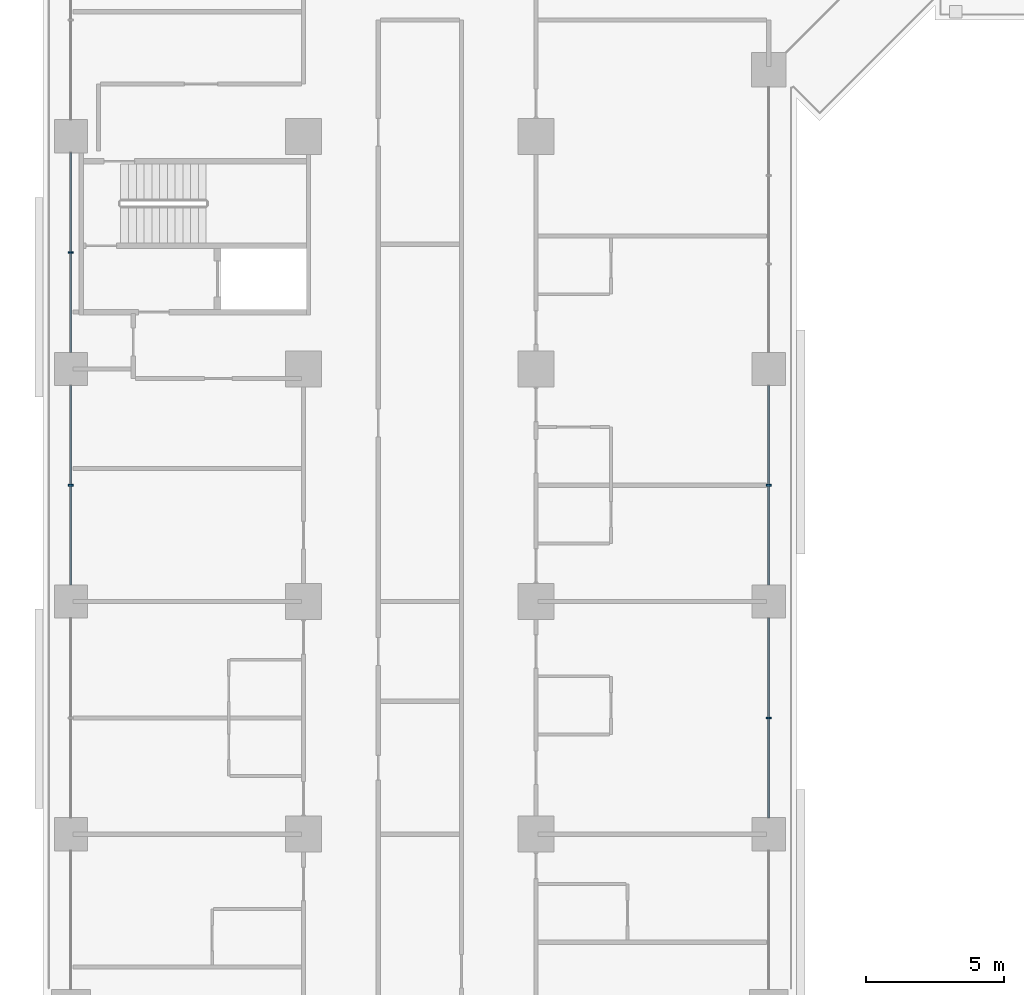
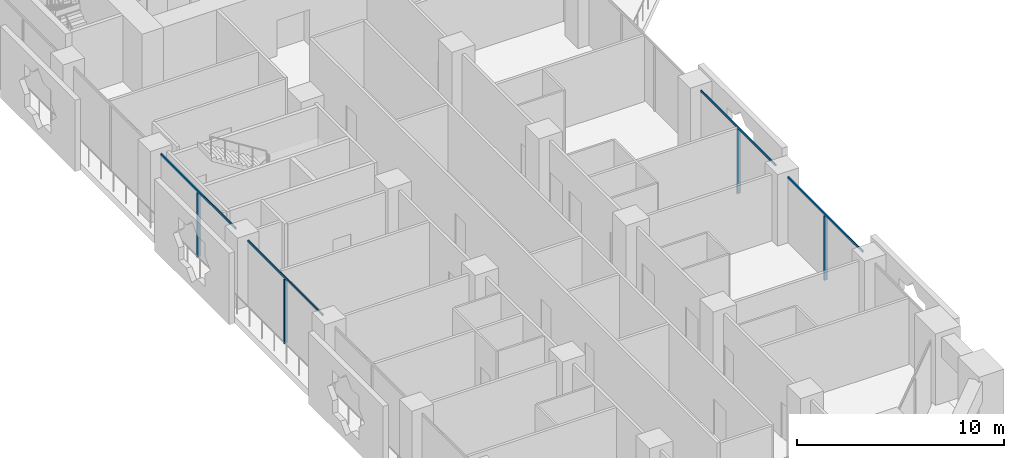
# One storey, part 3 of 26: 8 members, 2 elements without a shape of their own.
"""IFC4 building model written with IfcOpenShell, lengths in metres."""

from ifc_helpers import new_model, si_unit, direction, frame, origin, origin_2d, place, context, subcontext, project, spatial, rectangle, extrude, material, layer, layer_set, material_profile, profile_set, type_object, element, aggregate, save


model = new_model("IFC4")

# Units and contexts
model_context = context("Model", 3, precision=1e-05, world=origin(), true_north=direction((0.0, 1.0)))
body_context = subcontext(model_context, "Body", "Model", "MODEL_VIEW")
ifc_project = project(units=[si_unit("LENGTHUNIT", "METRE"), si_unit("AREAUNIT", "SQUARE_METRE"), si_unit("VOLUMEUNIT", "CUBIC_METRE"), si_unit("PLANEANGLEUNIT", "RADIAN"), si_unit("MASSUNIT", "GRAM", prefix="KILO")], contexts=[model_context])

# Site, building, storey
site_placement = place(None, origin())
site = spatial("IfcSite", under=ifc_project, at=site_placement, CompositionType="ELEMENT")
building_placement = place(site_placement, origin())
building = spatial("IfcBuilding", under=site, at=building_placement, Name="Kawkab Arch Medical Tower", CompositionType="ELEMENT")
storey_placement = place(building_placement, frame((0.0, 0.0, 51.800048828125)))
storey = spatial("IfcBuildingStorey", under=building, at=storey_placement, Name="L11", CompositionType="ELEMENT", Elevation=51.800048828125)

# Curtain wall, members
ifc_material_1 = material(Name="Bronze anodised aluminium curtain wall frame", Category="aluminium")
ifc_layer = layer(ifc_material_1, 0.159912109375)
ifc_layer_set = layer_set([ifc_layer], Name="Bronze anodised aluminium curtain wall frame")
curtain_wall_type = type_object("IfcCurtainWallType", Name="CW1 ward curtain wall", PredefinedType="NOTDEFINED", material=ifc_layer_set)
placement = place(storey_placement, origin())
curtain_wall_1 = element("IfcCurtainWall", 1, at=placement, inside=storey, type_object=curtain_wall_type, Name="CW1 Ward curtain wall R01", PredefinedType="NOTDEFINED")
ifc_material_2 = material(Name="Bronze anodised aluminium curtain wall frame", Category="aluminium")
ifc_material_profile_1 = material_profile(ifc_material_2, rectangle(XDim=0.179931640625, YDim=0.06005859375, at=origin_2d()), Name="AL 60x180")
ifc_profile_set_1 = profile_set([ifc_material_profile_1], Name="Bronze anodised aluminium curtain wall frame")
member_type_1 = type_object("IfcMemberType", Name="CW1 mullion 60 x 180", PredefinedType="MULLION", material=ifc_profile_set_1)
member_1_placement = place(storey_placement, frame((0.0, -37.800048828125, 0.0), z_axis=(0.0, 0.0, 1.0), x_axis=(1.0, 0.0, 0.0)))
member_1 = element("IfcMember", 2, at=member_1_placement, type_object=member_type_1, Name="CW1 mullion 4.1", PredefinedType="MULLION", context=body_context, shape_type="SweptSolid", body=[
    extrude(rectangle(XDim=0.179931640625, YDim=0.06005859375, at=origin_2d()), origin(), (0.0, 0.0, 1.0), 3.780029296875),
])
member_2_placement = place(storey_placement, frame((0.0, -46.199951171875, 0.0), z_axis=(0.0, 0.0, 1.0), x_axis=(1.0, 0.0, 0.0)))
member_2 = element("IfcMember", 3, at=member_2_placement, type_object=member_type_1, Name="CW1 mullion 5.1", PredefinedType="MULLION", context=body_context, shape_type="SweptSolid", body=[
    extrude(rectangle(XDim=0.179931640625, YDim=0.06005859375, at=origin_2d()), origin(), (0.0, 0.0, 1.0), 3.780029296875),
])

curtain_wall_2 = element("IfcCurtainWall", 4, at=placement, inside=storey, type_object=curtain_wall_type, Name="CW1 Ward curtain wall R05", PredefinedType="NOTDEFINED")
member_3_placement = place(storey_placement, frame((25.199951171875, -54.60009765625, 0.0), z_axis=(0.0, 0.0, 1.0), x_axis=(-1.0, 0.0, 0.0)))
member_3 = element("IfcMember", 5, at=member_3_placement, type_object=member_type_1, Name="CW1 mullion 2.1", PredefinedType="MULLION", context=body_context, shape_type="SweptSolid", body=[
    extrude(rectangle(XDim=0.179931640625, YDim=0.06005859375, at=origin_2d()), origin(), (0.0, 0.0, 1.0), 3.780029296875),
])
member_4_placement = place(storey_placement, frame((25.199951171875, -46.199951171875, 0.0), z_axis=(0.0, 0.0, 1.0), x_axis=(-1.0, 0.0, 0.0)))
member_4 = element("IfcMember", 6, at=member_4_placement, type_object=member_type_1, Name="CW1 mullion 3.1", PredefinedType="MULLION", context=body_context, shape_type="SweptSolid", body=[
    extrude(rectangle(XDim=0.179931640625, YDim=0.06005859375, at=origin_2d()), origin(), (0.0, 0.0, 1.0), 3.780029296875),
])

# Member
ifc_material_3 = material(Name="Bronze anodised aluminium curtain wall frame", Category="aluminium")
ifc_material_profile_2 = material_profile(ifc_material_3, rectangle(XDim=0.06005859375, YDim=0.1201171875, at=origin_2d()), Name="AL 60x120")
ifc_profile_set_2 = profile_set([ifc_material_profile_2], Name="Bronze anodised aluminium curtain wall frame")
member_type_2 = type_object("IfcMemberType", Name="CW1 transom 120 x 60", PredefinedType="USERDEFINED", material=ifc_profile_set_2)
member_5_placement = place(storey_placement, frame((0.0, -34.199951171875, 3.83984375), z_axis=(0.0, -1.0, 0.0), x_axis=(1.0, 0.0, 0.0)))
member_5 = element("IfcMember", 7, at=member_5_placement, type_object=member_type_2, Name="CW1 transom 4", ObjectType="TRANSOM", PredefinedType="USERDEFINED", context=body_context, shape_type="SweptSolid", body=[
    extrude(rectangle(XDim=0.06005859375, YDim=0.1201171875, at=origin_2d()), origin(), (0.0, 0.0, 1.0), 7.199951171875),
])

member_6_placement = place(storey_placement, frame((0.0, -42.60009765625, 3.83984375), z_axis=(0.0, -1.0, 0.0), x_axis=(1.0, 0.0, 0.0)))
member_6 = element("IfcMember", 8, at=member_6_placement, type_object=member_type_2, Name="CW1 transom 5", ObjectType="TRANSOM", PredefinedType="USERDEFINED", context=body_context, shape_type="SweptSolid", body=[
    extrude(rectangle(XDim=0.06005859375, YDim=0.1201171875, at=origin_2d()), origin(), (0.0, 0.0, 1.0), 7.199951171875),
])

aggregate(curtain_wall_1, [member_5, member_1, member_6, member_2])

member_7_placement = place(storey_placement, frame((25.199951171875, -58.199951171875, 3.83984375), z_axis=(0.0, 1.0, 0.0), x_axis=(-1.0, 0.0, 0.0)))
member_7 = element("IfcMember", 9, at=member_7_placement, type_object=member_type_2, Name="CW1 transom 2", ObjectType="TRANSOM", PredefinedType="USERDEFINED", context=body_context, shape_type="SweptSolid", body=[
    extrude(rectangle(XDim=0.06005859375, YDim=0.1201171875, at=origin_2d()), origin(), (0.0, 0.0, 1.0), 7.199951171875),
])

member_8_placement = place(storey_placement, frame((25.199951171875, -49.800048828125, 3.83984375), z_axis=(0.0, 1.0, 0.0), x_axis=(-1.0, 0.0, 0.0)))
member_8 = element("IfcMember", 10, at=member_8_placement, type_object=member_type_2, Name="CW1 transom 3", ObjectType="TRANSOM", PredefinedType="USERDEFINED", context=body_context, shape_type="SweptSolid", body=[
    extrude(rectangle(XDim=0.06005859375, YDim=0.1201171875, at=origin_2d()), origin(), (0.0, 0.0, 1.0), 7.199951171875),
])

aggregate(curtain_wall_2, [member_7, member_3, member_8, member_4])

save(model, "model.ifc")
